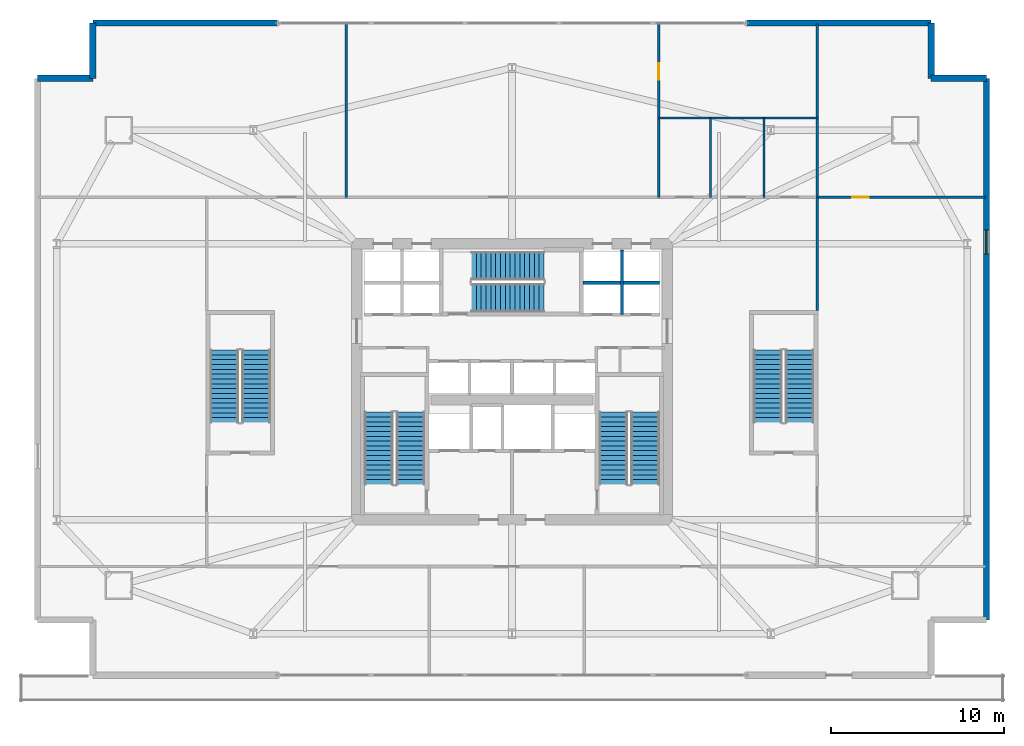
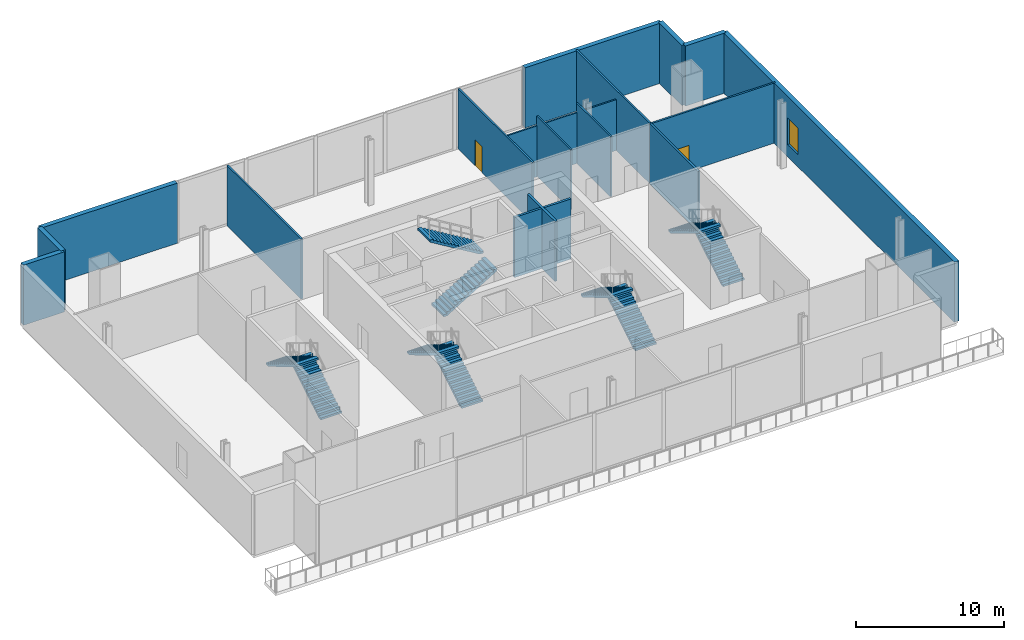
# One storey, part 12 of 16: 17 walls, 10 stair flights, 2 doors, 1 window, 3 openings, 5 elements without a shape of their own.
"""IFC4 building model written with IfcOpenShell, lengths in metres."""

from ifc_helpers import new_model, si_unit, direction, frame, frame_2d, origin, place, context, subcontext, project, spatial, polyline, rectangle, outline, extrude, material, layer, layer_set, type_object, element, fill, aggregate, save


model = new_model("IFC4")

# Units and contexts
model_context = context("Model", 3, precision=1e-05, world=origin(), true_north=direction((0.0, 1.0)))
body_context = subcontext(model_context, "Body", "Model", "MODEL_VIEW")
ifc_project = project(units=[si_unit("LENGTHUNIT", "METRE"), si_unit("AREAUNIT", "SQUARE_METRE"), si_unit("VOLUMEUNIT", "CUBIC_METRE"), si_unit("PLANEANGLEUNIT", "RADIAN"), si_unit("MASSUNIT", "GRAM", prefix="KILO")], contexts=[model_context])

# Site, building, storey
site_placement = place(None, origin())
site = spatial("IfcSite", under=ifc_project, at=site_placement, CompositionType="ELEMENT")
building_placement = place(site_placement, origin())
building = spatial("IfcBuilding", under=site, at=building_placement, Name="Haldenkirk Collegiate Tower", CompositionType="ELEMENT")
storey_placement = place(building_placement, frame((0.0, 0.0, 16.800048828125)))
storey = spatial("IfcBuildingStorey", under=building, at=storey_placement, Name="L03", CompositionType="ELEMENT", Elevation=16.800048828125)

# Wall, opening, window
ifc_material_1 = material(Name="Precast concrete f'c 40 MPa", Category="concrete")
ifc_layer_1 = layer(ifc_material_1, 0.360107421875)
ifc_layer_set_1 = layer_set([ifc_layer_1], Name="Precast concrete f'c 40 MPa")
wall_type_1 = type_object("IfcWallType", Name="WL-EXT-POD-360", PredefinedType="STANDARD", material=ifc_layer_set_1)
wall_1_placement = place(storey_placement, frame((63.5, 43.60009765625, 0.0), z_axis=(0.0, 0.0, 1.0), x_axis=(0.0, -1.0, 0.0)))
wall_1 = element("IfcWall", 1, at=wall_1_placement, inside=storey, type_object=wall_type_1, Name="L03 podium bronze precast wall 04", PredefinedType="STANDARD", context=body_context, shape_type="SweptSolid", body=[
    extrude(rectangle(XDim=31.400146484375, YDim=0.360107421875, at=frame_2d((15.7001953125, 0.0))), origin(), (0.0, 0.0, 1.0), 4.97998046875),
])
opening_1_placement = place(wall_1_placement, frame((8.7919921875, 0.0, 1.0)))
opening_1 = element("IfcOpeningElement", 2, at=opening_1_placement, cuts=wall_1, Name="Opening W-02", PredefinedType="OPENING", context=body_context, shape_type="SweptSolid", body=[
    extrude(rectangle(XDim=1.39990234375, YDim=2.199951171875, at=frame_2d((0.699951171875, 1.10009765625))), frame((0.0, 0.18994140625, 0.0), z_axis=(0.0, -1.0, 0.0), x_axis=(1.0, 0.0, 0.0)), (0.0, 0.0, 1.0), 0.380126953125),
])
ifc_material_2 = material(Name="Low-E argon triple insulating glass", Category="glass")
ifc_layer_2 = layer(ifc_material_2, 0.090087890625)
ifc_layer_set_2 = layer_set([ifc_layer_2], Name="Low-E argon triple insulating glass")
window_type = type_object("IfcWindowType", Name="WN-POD-1400X2200", PartitioningType="SINGLE_PANEL", PredefinedType="WINDOW", material=ifc_layer_set_2)
window_placement = place(opening_1_placement, origin())
window = element("IfcWindow", 3, at=window_placement, inside=storey, type_object=window_type, Name="L03 podium academic window 4A", OverallHeight=2.199951171875, OverallWidth=1.39990234375, PartitioningType="SINGLE_PANEL", PredefinedType="WINDOW", context=body_context, shape_type="SweptSolid", body=[
    extrude(rectangle(XDim=1.39990234375, YDim=2.199951171875, at=frame_2d((0.699951171875, 1.10009765625))), frame((0.0, 0.030029296875, 0.0), z_axis=(0.0, -1.0, 0.0), x_axis=(1.0, 0.0, 0.0)), (0.0, 0.0, 1.0), 0.06005859375),
])
fill(opening_1, window)

# Walls
for number, where, z_axis, x_axis, name in (
    (4, (60.300048828125, 43.60009765625, 0.0), (0.0, 0.0, 1.0), (1.0, 0.0, 0.0), "L03 podium bronze precast wall 05"),
    (5, (60.300048828125, 46.800048828125, 0.0), (0.0, 0.0, 1.0), (0.0, -1.0, 0.0), "L03 podium bronze precast wall 06"),
):
    element("IfcWall", number, at=place(storey_placement, frame(where, z_axis=z_axis, x_axis=x_axis)), inside=storey, type_object=wall_type_1, Name=name, PredefinedType="STANDARD", context=body_context, shape_type="SweptSolid", body=[
        extrude(rectangle(XDim=3.199951171875, YDim=0.360107421875, at=frame_2d((1.60009765625, 0.0))), origin(), (0.0, 0.0, 1.0), 4.97998046875),
    ])
for number, where, z_axis, x_axis, name in (
    (6, (11.699951171875, 46.800048828125, 0.0), (0.0, 0.0, 1.0), (1.0, 0.0, 0.0), "L03 podium precast frame pier 7L"),
    (7, (49.60791015625, 46.800048828125, 0.0), (0.0, 0.0, 1.0), (1.0, 0.0, 0.0), "L03 podium precast frame pier 7R"),
):
    element("IfcWall", number, at=place(storey_placement, frame(where, z_axis=z_axis, x_axis=x_axis)), inside=storey, type_object=wall_type_1, Name=name, PredefinedType="STANDARD", context=body_context, shape_type="SweptSolid", body=[
        extrude(rectangle(XDim=10.692138671875, YDim=0.360107421875, at=frame_2d((5.34619140625, 0.0))), origin(), (0.0, 0.0, 1.0), 4.97998046875),
    ])
for number, where, z_axis, x_axis, name in (
    (8, (11.699951171875, 43.60009765625, 0.0), (0.0, 0.0, 1.0), (0.0, 1.0, 0.0), "L03 podium bronze precast wall 08"),
    (9, (8.5, 43.60009765625, 0.0), (0.0, 0.0, 1.0), (1.0, 0.0, 0.0), "L03 podium bronze precast wall 09"),
):
    element("IfcWall", number, at=place(storey_placement, frame(where, z_axis=z_axis, x_axis=x_axis)), inside=storey, type_object=wall_type_1, Name=name, PredefinedType="STANDARD", context=body_context, shape_type="SweptSolid", body=[
        extrude(rectangle(XDim=3.199951171875, YDim=0.360107421875, at=frame_2d((1.60009765625, 0.0))), origin(), (0.0, 0.0, 1.0), 4.97998046875),
    ])
ifc_material_3 = material(Name="Acoustic fire-rated gypsum partition", Category="concrete")
ifc_layer_3 = layer(ifc_material_3, 0.159912109375)
ifc_layer_set_3 = layer_set([ifc_layer_3], Name="Acoustic fire-rated gypsum partition")
wall_type_2 = type_object("IfcWallType", Name="WL-INT-CORR-160", PredefinedType="PARTITIONING", material=ifc_layer_set_3)
wall_2_placement = place(storey_placement, frame((53.699951171875, 30.14990234375, 0.0), z_axis=(0.0, 0.0, 1.0), x_axis=(0.0, 1.0, 0.0)))
element("IfcWall", 10, at=wall_2_placement, inside=storey, type_object=wall_type_2, Name="L03 interior partition IW-L03-CE2", PredefinedType="PARTITIONING", context=body_context, shape_type="SweptSolid", body=[
    extrude(rectangle(XDim=6.550048828125, YDim=0.159912109375, at=frame_2d((3.27490234375, 0.0))), origin(), (0.0, 0.0, 1.0), 4.97998046875),
])

# Wall, opening, door
ifc_layer_4 = layer(ifc_material_3, 0.139892578125)
ifc_layer_set_4 = layer_set([ifc_layer_4], Name="Acoustic fire-rated gypsum partition")
wall_type_3 = type_object("IfcWallType", Name="WL-INT-DIV-140", PredefinedType="PARTITIONING", material=ifc_layer_set_4)
wall_3_placement = place(storey_placement, frame((53.699951171875, 36.699951171875, 0.0), z_axis=(0.0, 0.0, 1.0), x_axis=(1.0, 0.0, 0.0)))
wall_3 = element("IfcWall", 11, at=wall_3_placement, inside=storey, type_object=wall_type_3, Name="L03 interior partition IW-L03-ECN1", PredefinedType="PARTITIONING", context=body_context, shape_type="SweptSolid", body=[
    extrude(rectangle(XDim=9.760009765625, YDim=0.139892578125, at=frame_2d((4.8798828125, 0.0))), origin(), (0.0, 0.0, 1.0), 4.97998046875),
])
opening_2_placement = place(wall_3_placement, frame((2.02490234375, 0.0, 0.0)))
opening_2 = element("IfcOpeningElement", 12, at=opening_2_placement, cuts=wall_3, Name="Opening D-12", PredefinedType="OPENING", context=body_context, shape_type="SweptSolid", body=[
    extrude(rectangle(XDim=0.949951171875, YDim=2.14990234375, at=frame_2d((0.47509765625, 1.074951171875))), frame((0.0, 0.079833984375, 0.0), z_axis=(0.0, -1.0, 0.0), x_axis=(1.0, 0.0, 0.0)), (0.0, 0.0, 1.0), 0.159912109375),
])
ifc_material_4 = material(Name="Solid-core architectural oak fire door", Category="wood")
ifc_layer_5 = layer(ifc_material_4, 0.06005859375)
ifc_layer_set_5 = layer_set([ifc_layer_5], Name="Solid-core architectural oak fire door")
door_type = type_object("IfcDoorType", Name="DR-INT-STD-950", OperationType="NOTDEFINED", PredefinedType="DOOR", material=ifc_layer_set_5)
door_1_placement = place(opening_2_placement, origin())
door_1 = element("IfcDoor", 13, at=door_1_placement, inside=storey, type_object=door_type, Name="L03 north-east door", OperationType="SINGLE_SWING_RIGHT", OverallHeight=2.14990234375, OverallWidth=0.949951171875, PredefinedType="DOOR", context=body_context, shape_type="SweptSolid", body=[
    extrude(rectangle(XDim=0.949951171875, YDim=2.14990234375, at=frame_2d((0.47509765625, 1.074951171875))), frame((0.0, 0.02490234375, 0.0), z_axis=(0.0, -1.0, 0.0), x_axis=(1.0, 0.0, 0.0)), (0.0, 0.0, 1.0), 0.050048828125),
])
fill(opening_2, door_1)

# Wall
wall_4_placement = place(storey_placement, frame((26.39990234375, 36.699951171875, 0.0), z_axis=(0.0, 0.0, 1.0), x_axis=(0.0, 1.0, 0.0)))
element("IfcWall", 14, at=wall_4_placement, inside=storey, type_object=wall_type_3, Name="L03 interior partition IW-L03-ND1", PredefinedType="PARTITIONING", context=body_context, shape_type="SweptSolid", body=[
    extrude(rectangle(XDim=10.06005859375, YDim=0.139892578125, at=frame_2d((5.030029296875, 0.0))), origin(), (0.0, 0.0, 1.0), 4.97998046875),
])

# Wall, opening, door
wall_5_placement = place(storey_placement, frame((44.5, 36.699951171875, 0.0), z_axis=(0.0, 0.0, 1.0), x_axis=(0.0, 1.0, 0.0)))
wall_5 = element("IfcWall", 15, at=wall_5_placement, inside=storey, type_object=wall_type_3, Name="L03 interior partition IW-L03-ND2", PredefinedType="PARTITIONING", context=body_context, shape_type="SweptSolid", body=[
    extrude(rectangle(XDim=10.06005859375, YDim=0.139892578125, at=frame_2d((5.030029296875, 0.0))), origin(), (0.0, 0.0, 1.0), 4.97998046875),
])
opening_3_placement = place(wall_5_placement, frame((6.824951171875, 0.0, 0.0)))
opening_3 = element("IfcOpeningElement", 16, at=opening_3_placement, cuts=wall_5, Name="Opening D-12", PredefinedType="OPENING", context=body_context, shape_type="SweptSolid", body=[
    extrude(rectangle(XDim=0.949951171875, YDim=2.14990234375, at=frame_2d((0.47509765625, 1.074951171875))), frame((0.0, 0.079833984375, 0.0), z_axis=(0.0, -1.0, 0.0), x_axis=(1.0, 0.0, 0.0)), (0.0, 0.0, 1.0), 0.159912109375),
])
door_2_placement = place(opening_3_placement, origin())
door_2 = element("IfcDoor", 17, at=door_2_placement, inside=storey, type_object=door_type, Name="L03 north study door", OperationType="SINGLE_SWING_RIGHT", OverallHeight=2.14990234375, OverallWidth=0.949951171875, PredefinedType="DOOR", context=body_context, shape_type="SweptSolid", body=[
    extrude(rectangle(XDim=0.949951171875, YDim=2.14990234375, at=frame_2d((0.47509765625, 1.074951171875))), frame((0.0, 0.02490234375, 0.0), z_axis=(0.0, -1.0, 0.0), x_axis=(1.0, 0.0, 0.0)), (0.0, 0.0, 1.0), 0.050048828125),
])
fill(opening_3, door_2)

# Walls
wall_6_placement = place(storey_placement, frame((53.699951171875, 36.699951171875, 0.0), z_axis=(0.0, 0.0, 1.0), x_axis=(0.0, 1.0, 0.0)))
element("IfcWall", 18, at=wall_6_placement, inside=storey, type_object=wall_type_3, Name="L03 interior partition IW-L03-WCE", PredefinedType="PARTITIONING", context=body_context, shape_type="SweptSolid", body=[
    extrude(rectangle(XDim=10.06005859375, YDim=0.139892578125, at=frame_2d((5.030029296875, 0.0))), origin(), (0.0, 0.0, 1.0), 4.97998046875),
])
ifc_material_5 = material(Name="Fire-rated gypsum shaftboard assembly", Category="concrete")
ifc_layer_6 = layer(ifc_material_5, 0.179931640625)
ifc_layer_set_6 = layer_set([ifc_layer_6], Name="Fire-rated gypsum shaftboard assembly")
wall_type_4 = type_object("IfcWallType", Name="WL-INT-SHAFT-180", PredefinedType="PARTITIONING", material=ifc_layer_set_6)
wall_7_placement = place(storey_placement, frame((40.1201171875, 31.75, 0.0), z_axis=(0.0, 0.0, 1.0), x_axis=(1.0, 0.0, 0.0)))
element("IfcWall", 19, at=wall_7_placement, inside=storey, type_object=wall_type_4, Name="L03 interior partition IW-L03-PMM", PredefinedType="PARTITIONING", context=body_context, shape_type="SweptSolid", body=[
    extrude(rectangle(XDim=4.429931640625, YDim=0.179931640625, at=frame_2d((2.21484375, 0.0))), origin(), (0.0, 0.0, 1.0), 4.97998046875),
])
wall_8_placement = place(storey_placement, frame((42.3701171875, 29.89990234375, 0.0), z_axis=(0.0, 0.0, 1.0), x_axis=(0.0, 1.0, 0.0)))
element("IfcWall", 20, at=wall_8_placement, inside=storey, type_object=wall_type_4, Name="L03 interior partition IW-L03-PMV", PredefinedType="PARTITIONING", context=body_context, shape_type="SweptSolid", body=[
    extrude(rectangle(XDim=3.75, YDim=0.179931640625, at=frame_2d((1.875, 0.0))), origin(), (0.0, 0.0, 1.0), 4.97998046875),
])
ifc_layer_7 = layer(ifc_material_3, 0.1201171875)
ifc_layer_set_7 = layer_set([ifc_layer_7], Name="Acoustic fire-rated gypsum partition")
wall_type_5 = type_object("IfcWallType", Name="WL-INT-WET-120", PredefinedType="PARTITIONING", material=ifc_layer_set_7)
for number, where, z_axis, x_axis, name in (
    (21, (47.5, 36.699951171875, 0.0), (0.0, 0.0, 1.0), (0.0, 1.0, 0.0), "L03 interior partition IW-L03-WCV1"),
    (22, (50.60009765625, 36.699951171875, 0.0), (0.0, 0.0, 1.0), (0.0, 1.0, 0.0), "L03 interior partition IW-L03-WCV2"),
):
    element("IfcWall", number, at=place(storey_placement, frame(where, z_axis=z_axis, x_axis=x_axis)), inside=storey, type_object=wall_type_5, Name=name, PredefinedType="PARTITIONING", context=body_context, shape_type="SweptSolid", body=[
        extrude(rectangle(XDim=4.60009765625, YDim=0.1201171875, at=frame_2d((2.300048828125, 0.0))), origin(), (0.0, 0.0, 1.0), 4.97998046875),
    ])
wall_9_placement = place(storey_placement, frame((44.5, 41.300048828125, 0.0), z_axis=(0.0, 0.0, 1.0), x_axis=(1.0, 0.0, 0.0)))
element("IfcWall", 23, at=wall_9_placement, inside=storey, type_object=wall_type_5, Name="L03 interior partition IW-L03-WCNB", PredefinedType="PARTITIONING", context=body_context, shape_type="SweptSolid", body=[
    extrude(rectangle(XDim=9.199951171875, YDim=0.1201171875, at=frame_2d((4.60009765625, 0.0))), origin(), (0.0, 0.0, 1.0), 4.201904296875),
])

# Stair, stair flights
ifc_material_6 = material(Name="Concrete f'c 40 MPa", Category="concrete")
stair_type = type_object("IfcStairType", Name="STR-DOGLEG-1650", PredefinedType="HALF_TURN_STAIR", material=ifc_material_6)
stair_1_placement = place(storey_placement, origin())
stair_1 = element("IfcStair", 24, at=stair_1_placement, inside=storey, type_object=stair_type, Name="L03 Core Exit Stair ST-1", PredefinedType="HALF_TURN_STAIR")
stair_flight_type = type_object("IfcStairFlightType", Name="STF-FLIGHT-1650", PredefinedType="STRAIGHT", material=ifc_material_6)
stair_flight_1_placement = place(storey_placement, frame((30.125, 20.050048828125, 0.0), z_axis=(0.0, 0.0, 1.0), x_axis=(0.0, 1.0, 0.0)))
stair_flight_1 = element("IfcStairFlight", 25, at=stair_flight_1_placement, type_object=stair_flight_type, Name="ST-1 flight 1", NumberOfRisers=16, NumberOfTreads=15, PredefinedType="STRAIGHT", RiserHeight=0.16875, TreadLength=0.28, context=body_context, shape_type="SweptSolid", body=[
    extrude(outline(polyline([(0.0, 0.0), (0.0, 0.168701171875), (0.280029296875, 0.168701171875), (0.280029296875, 0.33740234375), (0.56005859375, 0.33740234375), (0.56005859375, 0.50634765625), (0.840087890625, 0.50634765625), (0.840087890625, 0.675048828125), (1.1201171875, 0.675048828125), (1.1201171875, 0.84375), (1.39990234375, 0.84375), (1.39990234375, 1.012451171875), (1.679931640625, 1.012451171875), (1.679931640625, 1.18115234375), (1.9599609375, 1.18115234375), (1.9599609375, 1.35009765625), (2.239990234375, 1.35009765625), (2.239990234375, 1.518798828125), (2.52001953125, 1.518798828125), (2.52001953125, 1.6875), (2.800048828125, 1.6875), (2.800048828125, 1.856201171875), (3.080078125, 1.856201171875), (3.080078125, 2.02490234375), (3.360107421875, 2.02490234375), (3.360107421875, 2.19384765625), (3.639892578125, 2.19384765625), (3.639892578125, 2.362548828125), (3.919921875, 2.362548828125), (3.919921875, 2.53125), (4.199951171875, 2.53125), (4.199951171875, 2.699951171875), (4.199951171875, 2.356201171875), (0.29052734375, 0.0), (0.0, 0.0)])), frame((0.0, 0.824951171875, 0.0), z_axis=(0.0, -1.0, 0.0), x_axis=(1.0, 0.0, 0.0)), (0.0, 0.0, 1.0), 1.64990234375),
])
stair_flight_2_placement = place(storey_placement, frame((28.27490234375, 24.25, 2.699951171875), z_axis=(0.0, 0.0, 1.0), x_axis=(0.0, -1.0, 0.0)))
stair_flight_2 = element("IfcStairFlight", 26, at=stair_flight_2_placement, type_object=stair_flight_type, Name="ST-1 flight 2", NumberOfRisers=16, NumberOfTreads=15, PredefinedType="STRAIGHT", RiserHeight=0.16875, TreadLength=0.28, context=body_context, shape_type="SweptSolid", body=[
    extrude(outline(polyline([(0.0, 0.0), (0.0, 0.168701171875), (0.280029296875, 0.168701171875), (0.280029296875, 0.33740234375), (0.56005859375, 0.33740234375), (0.56005859375, 0.50634765625), (0.840087890625, 0.50634765625), (0.840087890625, 0.675048828125), (1.1201171875, 0.675048828125), (1.1201171875, 0.84375), (1.39990234375, 0.84375), (1.39990234375, 1.012451171875), (1.679931640625, 1.012451171875), (1.679931640625, 1.18115234375), (1.9599609375, 1.18115234375), (1.9599609375, 1.35009765625), (2.239990234375, 1.35009765625), (2.239990234375, 1.518798828125), (2.52001953125, 1.518798828125), (2.52001953125, 1.6875), (2.800048828125, 1.6875), (2.800048828125, 1.856201171875), (3.080078125, 1.856201171875), (3.080078125, 2.02490234375), (3.360107421875, 2.02490234375), (3.360107421875, 2.19384765625), (3.639892578125, 2.19384765625), (3.639892578125, 2.362548828125), (3.919921875, 2.362548828125), (3.919921875, 2.53125), (4.199951171875, 2.53125), (4.199951171875, 2.699951171875), (4.199951171875, 2.356201171875), (0.29052734375, 0.0), (0.0, 0.0)])), frame((0.0, 0.824951171875, 0.0), z_axis=(0.0, -1.0, 0.0), x_axis=(1.0, 0.0, 0.0)), (0.0, 0.0, 1.0), 1.64990234375),
])
aggregate(stair_1, [stair_flight_1, stair_flight_2])

stair_2_placement = place(storey_placement, origin())
stair_2 = element("IfcStair", 27, at=stair_2_placement, inside=storey, type_object=stair_type, Name="L03 Core Exit Stair ST-2", PredefinedType="HALF_TURN_STAIR")
stair_flight_3_placement = place(storey_placement, frame((43.72509765625, 20.050048828125, 0.0), z_axis=(0.0, 0.0, 1.0), x_axis=(0.0, 1.0, 0.0)))
stair_flight_3 = element("IfcStairFlight", 28, at=stair_flight_3_placement, type_object=stair_flight_type, Name="ST-2 flight 1", NumberOfRisers=16, NumberOfTreads=15, PredefinedType="STRAIGHT", RiserHeight=0.16875, TreadLength=0.28, context=body_context, shape_type="SweptSolid", body=[
    extrude(outline(polyline([(0.0, 0.0), (0.0, 0.168701171875), (0.280029296875, 0.168701171875), (0.280029296875, 0.33740234375), (0.56005859375, 0.33740234375), (0.56005859375, 0.50634765625), (0.840087890625, 0.50634765625), (0.840087890625, 0.675048828125), (1.1201171875, 0.675048828125), (1.1201171875, 0.84375), (1.39990234375, 0.84375), (1.39990234375, 1.012451171875), (1.679931640625, 1.012451171875), (1.679931640625, 1.18115234375), (1.9599609375, 1.18115234375), (1.9599609375, 1.35009765625), (2.239990234375, 1.35009765625), (2.239990234375, 1.518798828125), (2.52001953125, 1.518798828125), (2.52001953125, 1.6875), (2.800048828125, 1.6875), (2.800048828125, 1.856201171875), (3.080078125, 1.856201171875), (3.080078125, 2.02490234375), (3.360107421875, 2.02490234375), (3.360107421875, 2.19384765625), (3.639892578125, 2.19384765625), (3.639892578125, 2.362548828125), (3.919921875, 2.362548828125), (3.919921875, 2.53125), (4.199951171875, 2.53125), (4.199951171875, 2.699951171875), (4.199951171875, 2.356201171875), (0.29052734375, 0.0), (0.0, 0.0)])), frame((0.0, 0.824951171875, 0.0), z_axis=(0.0, -1.0, 0.0), x_axis=(1.0, 0.0, 0.0)), (0.0, 0.0, 1.0), 1.64990234375),
])
stair_flight_4_placement = place(storey_placement, frame((41.875, 24.25, 2.699951171875), z_axis=(0.0, 0.0, 1.0), x_axis=(0.0, -1.0, 0.0)))
stair_flight_4 = element("IfcStairFlight", 29, at=stair_flight_4_placement, type_object=stair_flight_type, Name="ST-2 flight 2", NumberOfRisers=16, NumberOfTreads=15, PredefinedType="STRAIGHT", RiserHeight=0.16875, TreadLength=0.28, context=body_context, shape_type="SweptSolid", body=[
    extrude(outline(polyline([(0.0, 0.0), (0.0, 0.168701171875), (0.280029296875, 0.168701171875), (0.280029296875, 0.33740234375), (0.56005859375, 0.33740234375), (0.56005859375, 0.50634765625), (0.840087890625, 0.50634765625), (0.840087890625, 0.675048828125), (1.1201171875, 0.675048828125), (1.1201171875, 0.84375), (1.39990234375, 0.84375), (1.39990234375, 1.012451171875), (1.679931640625, 1.012451171875), (1.679931640625, 1.18115234375), (1.9599609375, 1.18115234375), (1.9599609375, 1.35009765625), (2.239990234375, 1.35009765625), (2.239990234375, 1.518798828125), (2.52001953125, 1.518798828125), (2.52001953125, 1.6875), (2.800048828125, 1.6875), (2.800048828125, 1.856201171875), (3.080078125, 1.856201171875), (3.080078125, 2.02490234375), (3.360107421875, 2.02490234375), (3.360107421875, 2.19384765625), (3.639892578125, 2.19384765625), (3.639892578125, 2.362548828125), (3.919921875, 2.362548828125), (3.919921875, 2.53125), (4.199951171875, 2.53125), (4.199951171875, 2.699951171875), (4.199951171875, 2.356201171875), (0.29052734375, 0.0), (0.0, 0.0)])), frame((0.0, 0.824951171875, 0.0), z_axis=(0.0, -1.0, 0.0), x_axis=(1.0, 0.0, 0.0)), (0.0, 0.0, 1.0), 1.64990234375),
])
aggregate(stair_2, [stair_flight_3, stair_flight_4])

stair_3_placement = place(storey_placement, origin())
stair_3 = element("IfcStair", 30, at=stair_3_placement, inside=storey, type_object=stair_type, Name="L03 Core Exit Stair ST-3", PredefinedType="HALF_TURN_STAIR")
stair_flight_5_placement = place(storey_placement, frame((33.64990234375, 30.875, 0.0), z_axis=(0.0, 0.0, 1.0), x_axis=(1.0, 0.0, 0.0)))
stair_flight_5 = element("IfcStairFlight", 31, at=stair_flight_5_placement, type_object=stair_flight_type, Name="ST-3 flight 1", NumberOfRisers=16, NumberOfTreads=15, PredefinedType="STRAIGHT", RiserHeight=0.16875, TreadLength=0.28, context=body_context, shape_type="SweptSolid", body=[
    extrude(outline(polyline([(0.0, 0.0), (0.0, 0.168701171875), (0.280029296875, 0.168701171875), (0.280029296875, 0.33740234375), (0.56005859375, 0.33740234375), (0.56005859375, 0.50634765625), (0.840087890625, 0.50634765625), (0.840087890625, 0.675048828125), (1.1201171875, 0.675048828125), (1.1201171875, 0.84375), (1.39990234375, 0.84375), (1.39990234375, 1.012451171875), (1.679931640625, 1.012451171875), (1.679931640625, 1.18115234375), (1.9599609375, 1.18115234375), (1.9599609375, 1.35009765625), (2.239990234375, 1.35009765625), (2.239990234375, 1.518798828125), (2.52001953125, 1.518798828125), (2.52001953125, 1.6875), (2.800048828125, 1.6875), (2.800048828125, 1.856201171875), (3.080078125, 1.856201171875), (3.080078125, 2.02490234375), (3.360107421875, 2.02490234375), (3.360107421875, 2.19384765625), (3.639892578125, 2.19384765625), (3.639892578125, 2.362548828125), (3.919921875, 2.362548828125), (3.919921875, 2.53125), (4.199951171875, 2.53125), (4.199951171875, 2.699951171875), (4.199951171875, 2.356201171875), (0.29052734375, 0.0), (0.0, 0.0)])), frame((0.0, 0.824951171875, 0.0), z_axis=(0.0, -1.0, 0.0), x_axis=(1.0, 0.0, 0.0)), (0.0, 0.0, 1.0), 1.64990234375),
])
stair_flight_6_placement = place(storey_placement, frame((37.85009765625, 32.72509765625, 2.699951171875), z_axis=(0.0, 0.0, 1.0), x_axis=(-1.0, 0.0, 0.0)))
stair_flight_6 = element("IfcStairFlight", 32, at=stair_flight_6_placement, type_object=stair_flight_type, Name="ST-3 flight 2", NumberOfRisers=16, NumberOfTreads=15, PredefinedType="STRAIGHT", RiserHeight=0.16875, TreadLength=0.28, context=body_context, shape_type="SweptSolid", body=[
    extrude(outline(polyline([(0.0, 0.0), (0.0, 0.168701171875), (0.280029296875, 0.168701171875), (0.280029296875, 0.33740234375), (0.56005859375, 0.33740234375), (0.56005859375, 0.50634765625), (0.840087890625, 0.50634765625), (0.840087890625, 0.675048828125), (1.1201171875, 0.675048828125), (1.1201171875, 0.84375), (1.39990234375, 0.84375), (1.39990234375, 1.012451171875), (1.679931640625, 1.012451171875), (1.679931640625, 1.18115234375), (1.9599609375, 1.18115234375), (1.9599609375, 1.35009765625), (2.239990234375, 1.35009765625), (2.239990234375, 1.518798828125), (2.52001953125, 1.518798828125), (2.52001953125, 1.6875), (2.800048828125, 1.6875), (2.800048828125, 1.856201171875), (3.080078125, 1.856201171875), (3.080078125, 2.02490234375), (3.360107421875, 2.02490234375), (3.360107421875, 2.19384765625), (3.639892578125, 2.19384765625), (3.639892578125, 2.362548828125), (3.919921875, 2.362548828125), (3.919921875, 2.53125), (4.199951171875, 2.53125), (4.199951171875, 2.699951171875), (4.199951171875, 2.356201171875), (0.29052734375, 0.0), (0.0, 0.0)])), frame((0.0, 0.824951171875, 0.0), z_axis=(0.0, -1.0, 0.0), x_axis=(1.0, 0.0, 0.0)), (0.0, 0.0, 1.0), 1.64990234375),
])
aggregate(stair_3, [stair_flight_5, stair_flight_6])

stair_4_placement = place(storey_placement, origin())
stair_4 = element("IfcStair", 33, at=stair_4_placement, inside=storey, type_object=stair_type, Name="L03 Podium Exit Stair ST-4", PredefinedType="HALF_TURN_STAIR")
stair_flight_7_placement = place(storey_placement, frame((21.175048828125, 23.64990234375, 0.0), z_axis=(0.0, 0.0, 1.0), x_axis=(0.0, 1.0, 0.0)))
stair_flight_7 = element("IfcStairFlight", 34, at=stair_flight_7_placement, type_object=stair_flight_type, Name="ST-4 flight 1", NumberOfRisers=16, NumberOfTreads=15, PredefinedType="STRAIGHT", RiserHeight=0.16875, TreadLength=0.28, context=body_context, shape_type="SweptSolid", body=[
    extrude(outline(polyline([(0.0, 0.0), (0.0, 0.168701171875), (0.280029296875, 0.168701171875), (0.280029296875, 0.33740234375), (0.56005859375, 0.33740234375), (0.56005859375, 0.50634765625), (0.840087890625, 0.50634765625), (0.840087890625, 0.675048828125), (1.1201171875, 0.675048828125), (1.1201171875, 0.84375), (1.39990234375, 0.84375), (1.39990234375, 1.012451171875), (1.679931640625, 1.012451171875), (1.679931640625, 1.18115234375), (1.9599609375, 1.18115234375), (1.9599609375, 1.35009765625), (2.239990234375, 1.35009765625), (2.239990234375, 1.518798828125), (2.52001953125, 1.518798828125), (2.52001953125, 1.6875), (2.800048828125, 1.6875), (2.800048828125, 1.856201171875), (3.080078125, 1.856201171875), (3.080078125, 2.02490234375), (3.360107421875, 2.02490234375), (3.360107421875, 2.19384765625), (3.639892578125, 2.19384765625), (3.639892578125, 2.362548828125), (3.919921875, 2.362548828125), (3.919921875, 2.53125), (4.199951171875, 2.53125), (4.199951171875, 2.699951171875), (4.199951171875, 2.356201171875), (0.29052734375, 0.0), (0.0, 0.0)])), frame((0.0, 0.824951171875, 0.0), z_axis=(0.0, -1.0, 0.0), x_axis=(1.0, 0.0, 0.0)), (0.0, 0.0, 1.0), 1.64990234375),
])
stair_flight_8_placement = place(storey_placement, frame((19.324951171875, 27.85009765625, 2.699951171875), z_axis=(0.0, 0.0, 1.0), x_axis=(0.0, -1.0, 0.0)))
stair_flight_8 = element("IfcStairFlight", 35, at=stair_flight_8_placement, type_object=stair_flight_type, Name="ST-4 flight 2", NumberOfRisers=16, NumberOfTreads=15, PredefinedType="STRAIGHT", RiserHeight=0.16875, TreadLength=0.28, context=body_context, shape_type="SweptSolid", body=[
    extrude(outline(polyline([(0.0, 0.0), (0.0, 0.168701171875), (0.280029296875, 0.168701171875), (0.280029296875, 0.33740234375), (0.56005859375, 0.33740234375), (0.56005859375, 0.50634765625), (0.840087890625, 0.50634765625), (0.840087890625, 0.675048828125), (1.1201171875, 0.675048828125), (1.1201171875, 0.84375), (1.39990234375, 0.84375), (1.39990234375, 1.012451171875), (1.679931640625, 1.012451171875), (1.679931640625, 1.18115234375), (1.9599609375, 1.18115234375), (1.9599609375, 1.35009765625), (2.239990234375, 1.35009765625), (2.239990234375, 1.518798828125), (2.52001953125, 1.518798828125), (2.52001953125, 1.6875), (2.800048828125, 1.6875), (2.800048828125, 1.856201171875), (3.080078125, 1.856201171875), (3.080078125, 2.02490234375), (3.360107421875, 2.02490234375), (3.360107421875, 2.19384765625), (3.639892578125, 2.19384765625), (3.639892578125, 2.362548828125), (3.919921875, 2.362548828125), (3.919921875, 2.53125), (4.199951171875, 2.53125), (4.199951171875, 2.699951171875), (4.199951171875, 2.356201171875), (0.29052734375, 0.0), (0.0, 0.0)])), frame((0.0, 0.824951171875, 0.0), z_axis=(0.0, -1.0, 0.0), x_axis=(1.0, 0.0, 0.0)), (0.0, 0.0, 1.0), 1.64990234375),
])
aggregate(stair_4, [stair_flight_7, stair_flight_8])

stair_5_placement = place(storey_placement, origin())
stair_5 = element("IfcStair", 36, at=stair_5_placement, inside=storey, type_object=stair_type, Name="L03 Podium Exit Stair ST-5", PredefinedType="HALF_TURN_STAIR")
stair_flight_9_placement = place(storey_placement, frame((52.675048828125, 23.64990234375, 0.0), z_axis=(0.0, 0.0, 1.0), x_axis=(0.0, 1.0, 0.0)))
stair_flight_9 = element("IfcStairFlight", 37, at=stair_flight_9_placement, type_object=stair_flight_type, Name="ST-5 flight 1", NumberOfRisers=16, NumberOfTreads=15, PredefinedType="STRAIGHT", RiserHeight=0.16875, TreadLength=0.28, context=body_context, shape_type="SweptSolid", body=[
    extrude(outline(polyline([(0.0, 0.0), (0.0, 0.168701171875), (0.280029296875, 0.168701171875), (0.280029296875, 0.33740234375), (0.56005859375, 0.33740234375), (0.56005859375, 0.50634765625), (0.840087890625, 0.50634765625), (0.840087890625, 0.675048828125), (1.1201171875, 0.675048828125), (1.1201171875, 0.84375), (1.39990234375, 0.84375), (1.39990234375, 1.012451171875), (1.679931640625, 1.012451171875), (1.679931640625, 1.18115234375), (1.9599609375, 1.18115234375), (1.9599609375, 1.35009765625), (2.239990234375, 1.35009765625), (2.239990234375, 1.518798828125), (2.52001953125, 1.518798828125), (2.52001953125, 1.6875), (2.800048828125, 1.6875), (2.800048828125, 1.856201171875), (3.080078125, 1.856201171875), (3.080078125, 2.02490234375), (3.360107421875, 2.02490234375), (3.360107421875, 2.19384765625), (3.639892578125, 2.19384765625), (3.639892578125, 2.362548828125), (3.919921875, 2.362548828125), (3.919921875, 2.53125), (4.199951171875, 2.53125), (4.199951171875, 2.699951171875), (4.199951171875, 2.356201171875), (0.29052734375, 0.0), (0.0, 0.0)])), frame((0.0, 0.824951171875, 0.0), z_axis=(0.0, -1.0, 0.0), x_axis=(1.0, 0.0, 0.0)), (0.0, 0.0, 1.0), 1.64990234375),
])
stair_flight_10_placement = place(storey_placement, frame((50.824951171875, 27.85009765625, 2.699951171875), z_axis=(0.0, 0.0, 1.0), x_axis=(0.0, -1.0, 0.0)))
stair_flight_10 = element("IfcStairFlight", 38, at=stair_flight_10_placement, type_object=stair_flight_type, Name="ST-5 flight 2", NumberOfRisers=16, NumberOfTreads=15, PredefinedType="STRAIGHT", RiserHeight=0.16875, TreadLength=0.28, context=body_context, shape_type="SweptSolid", body=[
    extrude(outline(polyline([(0.0, 0.0), (0.0, 0.168701171875), (0.280029296875, 0.168701171875), (0.280029296875, 0.33740234375), (0.56005859375, 0.33740234375), (0.56005859375, 0.50634765625), (0.840087890625, 0.50634765625), (0.840087890625, 0.675048828125), (1.1201171875, 0.675048828125), (1.1201171875, 0.84375), (1.39990234375, 0.84375), (1.39990234375, 1.012451171875), (1.679931640625, 1.012451171875), (1.679931640625, 1.18115234375), (1.9599609375, 1.18115234375), (1.9599609375, 1.35009765625), (2.239990234375, 1.35009765625), (2.239990234375, 1.518798828125), (2.52001953125, 1.518798828125), (2.52001953125, 1.6875), (2.800048828125, 1.6875), (2.800048828125, 1.856201171875), (3.080078125, 1.856201171875), (3.080078125, 2.02490234375), (3.360107421875, 2.02490234375), (3.360107421875, 2.19384765625), (3.639892578125, 2.19384765625), (3.639892578125, 2.362548828125), (3.919921875, 2.362548828125), (3.919921875, 2.53125), (4.199951171875, 2.53125), (4.199951171875, 2.699951171875), (4.199951171875, 2.356201171875), (0.29052734375, 0.0), (0.0, 0.0)])), frame((0.0, 0.824951171875, 0.0), z_axis=(0.0, -1.0, 0.0), x_axis=(1.0, 0.0, 0.0)), (0.0, 0.0, 1.0), 1.64990234375),
])
aggregate(stair_5, [stair_flight_9, stair_flight_10])

save(model, "model.ifc")
